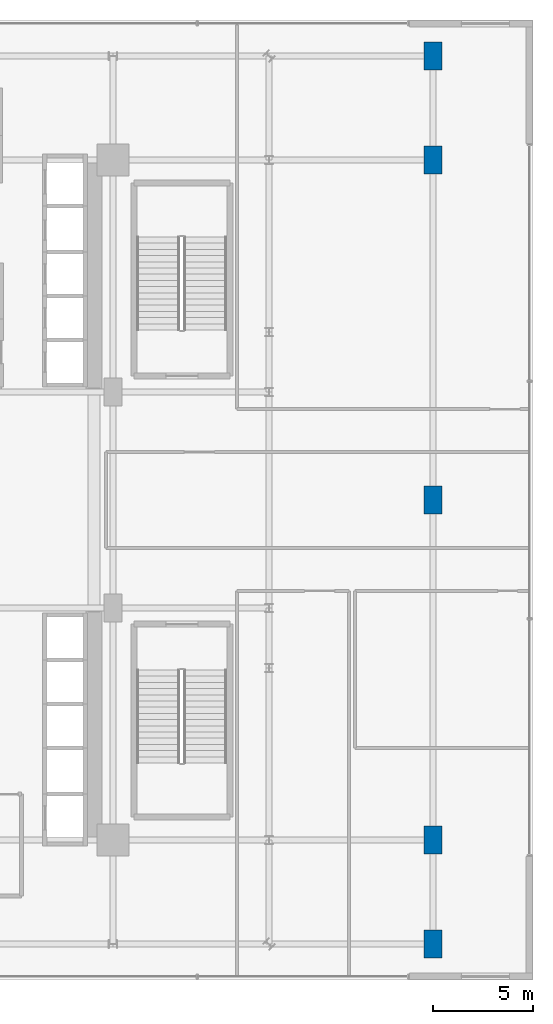
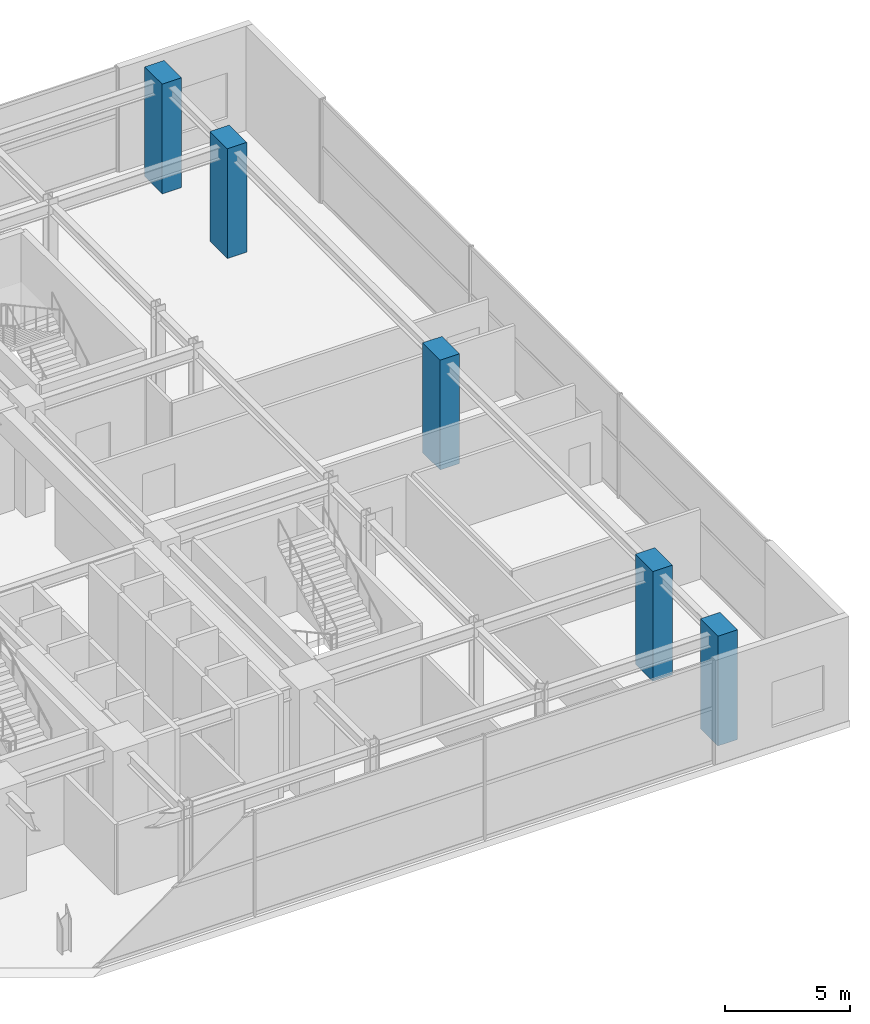
# One storey, part 3 of 32: 5 columns.
"""IFC4 building model written with IfcOpenShell, lengths in metres."""

from ifc_helpers import new_model, si_unit, direction, frame, origin, origin_2d, place, context, subcontext, project, spatial, rectangle, extrude, source, transform, mapped, material, material_profile, profile_set, type_object, element, save


model = new_model("IFC4")

# Units and contexts
model_context = context("Model", 3, precision=1e-05, world=origin(), true_north=direction((0.0, 1.0)))
body_context = subcontext(model_context, "Body", "Model", "MODEL_VIEW")
ifc_project = project(units=[si_unit("LENGTHUNIT", "METRE"), si_unit("AREAUNIT", "SQUARE_METRE"), si_unit("VOLUMEUNIT", "CUBIC_METRE"), si_unit("PLANEANGLEUNIT", "RADIAN"), si_unit("MASSUNIT", "GRAM", prefix="KILO")], contexts=[model_context])

# Site, building, storey
site_placement = place(None, origin())
site = spatial("IfcSite", under=ifc_project, at=site_placement, CompositionType="ELEMENT")
building_placement = place(site_placement, origin())
building = spatial("IfcBuilding", under=site, at=building_placement, Name="Nahalor Promenade Grand Hotel", CompositionType="ELEMENT")
storey_placement = place(building_placement, frame((0.0, 0.0, 5.39990234375)))
storey = spatial("IfcBuildingStorey", under=building, at=storey_placement, Name="L01", CompositionType="ELEMENT", Elevation=5.39990234375)

# Columns
ifc_material = material(Name="Concrete B-60 (C50/60)", Category="concrete")
ifc_material_profile = material_profile(ifc_material, rectangle(XDim=0.9, YDim=1.4, at=origin_2d()), Name="RC 900x1400")
ifc_profile_set = profile_set([ifc_material_profile], Name="Concrete B-60 (C50/60)")
column_type = type_object("IfcColumnType", Name="Col-Pilaster-1400", PredefinedType="PILASTER", material=ifc_profile_set)
shared_shape = source(origin(), body_context, "Body", "SweptSolid", [
    extrude(rectangle(XDim=0.9, YDim=1.4, at=origin_2d()), origin(), (0.0, 0.0, 1.0), 5.35498046875),
])
for number, where, z_axis, x_axis, name in (
    (1, (33.0, -22.199951171875, 0.0), (0.0, 0.0, 1.0), (1.0, 0.0, 0.0), "COL-L01-PC-E0"),
    (2, (33.0, -17.0, 0.0), (0.0, 0.0, 1.0), (1.0, 0.0, 0.0), "COL-L01-PC-E1"),
    (3, (33.0, 0.0, 0.0), (0.0, 0.0, 1.0), (1.0, 0.0, 0.0), "COL-L01-PC-E2"),
    (4, (33.0, 17.0, 0.0), (0.0, 0.0, 1.0), (1.0, 0.0, 0.0), "COL-L01-PC-E3"),
    (5, (33.0, 22.199951171875, 0.0), (0.0, 0.0, 1.0), (1.0, 0.0, 0.0), "COL-L01-PC-E4"),
):
    element("IfcColumn", number, at=place(storey_placement, frame(where, z_axis=z_axis, x_axis=x_axis)), inside=storey, type_object=column_type, Name=name, PredefinedType="PILASTER", context=body_context, shape_type="MappedRepresentation", body=[
        mapped(shared_shape, transform((0.0, 0.0, 0.0), scale=1.0)),
    ])

save(model, "model.ifc")
